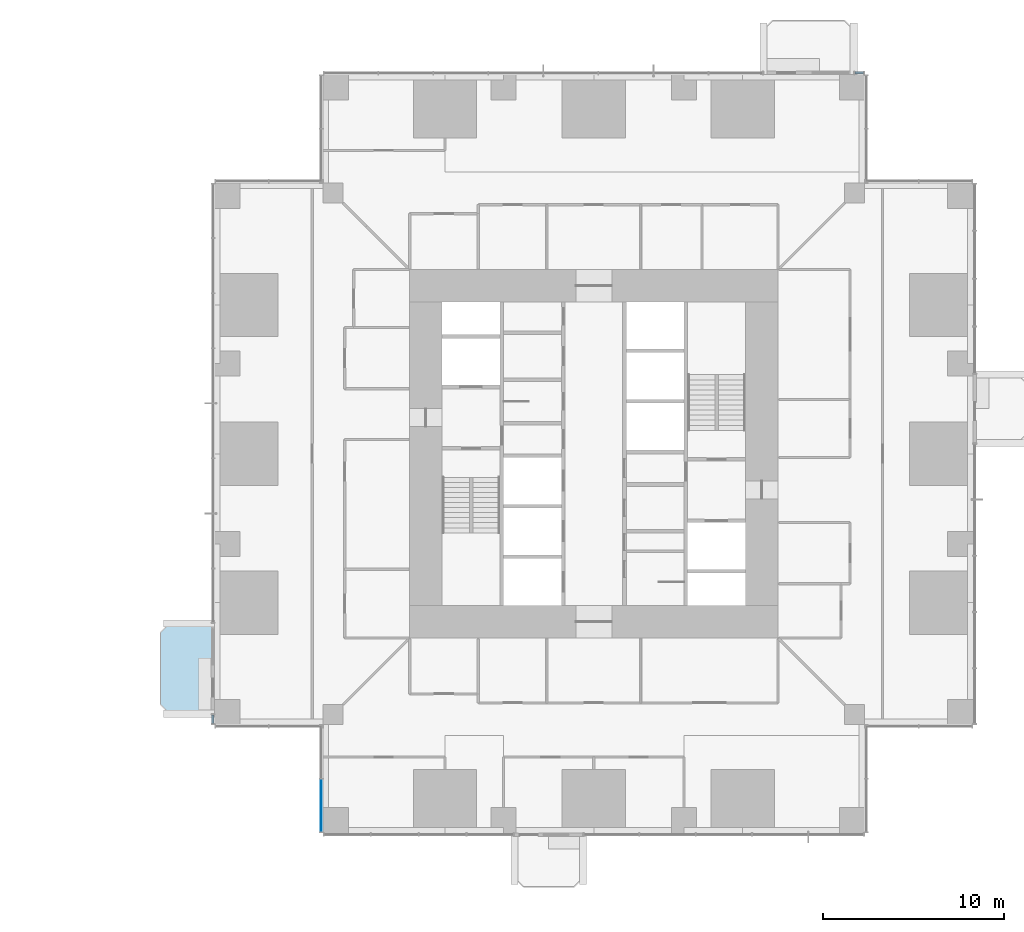
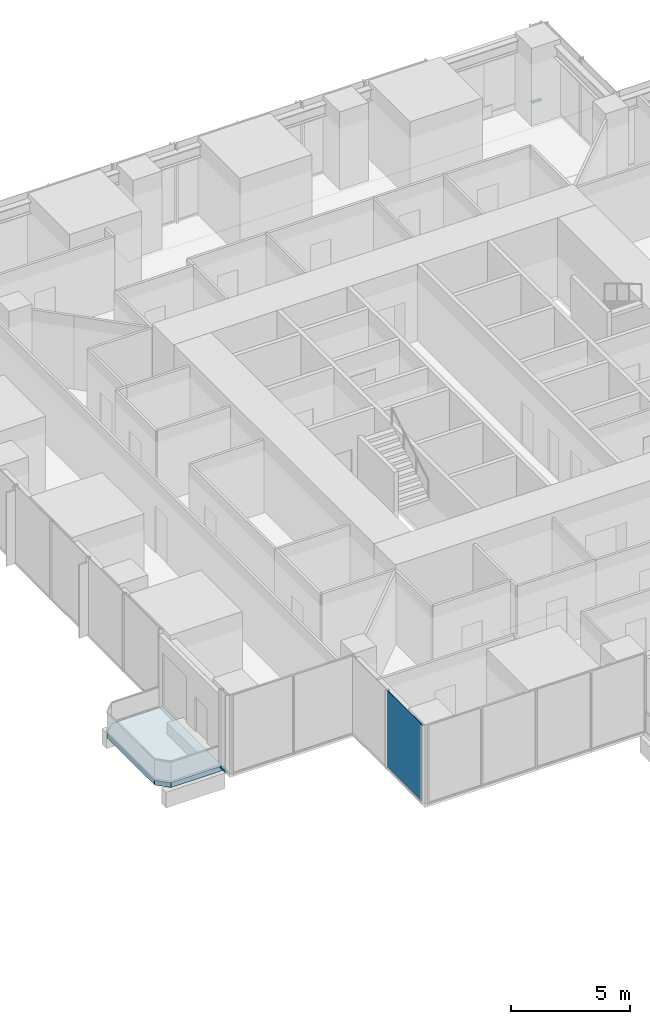
# One storey, part 6 of 16: 2 members, 1 plate, 1 slab, 3 elements without a shape of their own.
"""IFC4 building model written with IfcOpenShell, lengths in metres."""

from ifc_helpers import new_model, si_unit, direction, frame, origin, origin_2d, place, context, subcontext, project, spatial, polyline, rectangle, outline, extrude, material, layer, layer_set, material_profile, profile_set, type_object, element, aggregate, save


model = new_model("IFC4")

# Units and contexts
model_context = context("Model", 3, precision=1e-05, world=origin(), true_north=direction((0.0, 1.0)))
body_context = subcontext(model_context, "Body", "Model", "MODEL_VIEW")
ifc_project = project(units=[si_unit("LENGTHUNIT", "METRE"), si_unit("AREAUNIT", "SQUARE_METRE"), si_unit("VOLUMEUNIT", "CUBIC_METRE"), si_unit("PLANEANGLEUNIT", "RADIAN"), si_unit("MASSUNIT", "GRAM", prefix="KILO")], contexts=[model_context])

# Site, building, storey
site_placement = place(None, origin())
site = spatial("IfcSite", under=ifc_project, at=site_placement, CompositionType="ELEMENT")
building_placement = place(site_placement, origin())
building = spatial("IfcBuilding", under=site, at=building_placement, Name="Svetlomir Tower", CompositionType="ELEMENT")
storey_placement = place(building_placement, frame((0.0, 0.0, 22.5)))
storey = spatial("IfcBuildingStorey", under=building, at=storey_placement, Name="L04", CompositionType="ELEMENT", Elevation=22.5)

# Curtain wall, member
ifc_material_1 = material(Name="Bronze anodised aluminium curtain wall", Category="aluminium")
curtain_wall_type = type_object("IfcCurtainWallType", Name="CURTAIN WALL CW1 TOWER OFFICE", PredefinedType="NOTDEFINED", material=ifc_material_1)
curtain_wall_1_placement = place(storey_placement, origin())
curtain_wall_1 = element("IfcCurtainWall", 1, at=curtain_wall_1_placement, inside=storey, type_object=curtain_wall_type, Name="Curtain wall CW1 L04", PredefinedType="NOTDEFINED")
ifc_material_2 = material(Name="Bronze anodised aluminium", Category="aluminium")
ifc_material_profile = material_profile(ifc_material_2, rectangle(XDim=0.139892578125, YDim=0.06494140625, at=origin_2d()), Name="AL 140x65")
ifc_profile_set = profile_set([ifc_material_profile], Name="Bronze anodised aluminium 6063-T6")
member_type = type_object("IfcMemberType", Name="CW1 TRANSOM 65x140", PredefinedType="USERDEFINED", material=ifc_profile_set)
member_1_placement = place(storey_placement, frame((35.93505859375, 42.10009765625, 0.032470703125), z_axis=(-1.0, 0.0, 0.0), x_axis=(0.0, -1.0, 0.0)))
member_1 = element("IfcMember", 2, at=member_1_placement, type_object=member_type, Name="CW1 transom 1.1", ObjectType="TRANSOM", PredefinedType="USERDEFINED", context=body_context, shape_type="SweptSolid", body=[
    extrude(rectangle(XDim=0.139892578125, YDim=0.06494140625, at=origin_2d()), origin(), (0.0, 0.0, 1.0), 0.469970703125),
])
aggregate(curtain_wall_1, [member_1])

curtain_wall_2_placement = place(storey_placement, origin())
curtain_wall_2 = element("IfcCurtainWall", 3, at=curtain_wall_2_placement, inside=storey, type_object=curtain_wall_type, Name="Curtain wall CW1 L04", PredefinedType="NOTDEFINED")
member_2_placement = place(storey_placement, frame((-0.10009765625, 6.534912109375, 0.032470703125), z_axis=(0.0, -1.0, 0.0), x_axis=(1.0, 0.0, 0.0)))
member_2 = element("IfcMember", 4, at=member_2_placement, type_object=member_type, Name="CW1 transom 1.1", ObjectType="TRANSOM", PredefinedType="USERDEFINED", context=body_context, shape_type="SweptSolid", body=[
    extrude(rectangle(XDim=0.139892578125, YDim=0.06494140625, at=origin_2d()), origin(), (0.0, 0.0, 1.0), 0.469970703125),
])
aggregate(curtain_wall_2, [member_2])

# Slab
ifc_material_3 = material(Name="Concrete C60/75", Category="concrete")
ifc_layer_1 = layer(ifc_material_3, 0.25)
ifc_layer_set_1 = layer_set([ifc_layer_1], Name="Concrete C60/75")
slab_type = type_object("IfcSlabType", Name="BALCONY SLAB 250", PredefinedType="FLOOR", material=ifc_layer_set_1)
slab_placement = place(storey_placement, frame((0.0, 0.0, -0.25)))
element("IfcSlab", 5, at=slab_placement, inside=storey, type_object=slab_type, Name="L04 W planted balcony", PredefinedType="FLOOR", context=body_context, shape_type="SweptSolid", body=[
    extrude(outline(polyline([(-2.5, 6.60009765625), (0.0, 6.60009765625), (0.0, 11.60009765625), (-2.5, 11.60009765625), (-3.0, 11.10009765625), (-3.0, 7.10009765625), (-2.5, 6.60009765625)])), origin(), (0.0, 0.0, 1.0), 0.25),
])

# Curtain wall, plate
curtain_wall_3_placement = place(storey_placement, origin())
curtain_wall_3 = element("IfcCurtainWall", 6, at=curtain_wall_3_placement, inside=storey, type_object=curtain_wall_type, Name="Curtain wall CW1 L04", PredefinedType="NOTDEFINED")
ifc_material_4 = material(Name="Tinted double glazed unit", Category="glass")
ifc_layer_2 = layer(ifc_material_4, 0.031982421875)
ifc_layer_set_2 = layer_set([ifc_layer_2], Name="Tinted double glazed unit")
plate_type = type_object("IfcPlateType", Name="CW1 GLAZED PANEL 32", PredefinedType="CURTAIN_PANEL", material=ifc_layer_set_2)
plate_placement = place(storey_placement, frame((5.89990234375, 1.516357421875, 0.06494140625), z_axis=(0.0, 0.0, 1.0), x_axis=(0.0, -1.0, 0.0)))
plate = element("IfcPlate", 7, at=plate_placement, type_object=plate_type, Name="CW1 panel 2.1", PredefinedType="CURTAIN_PANEL", context=body_context, shape_type="SweptSolid", body=[
    extrude(rectangle(XDim=2.902587890625, YDim=0.031982421875, at=origin_2d()), origin(), (0.0, 0.0, 1.0), 3.93505859375),
])
aggregate(curtain_wall_3, [plate])

save(model, "model.ifc")
